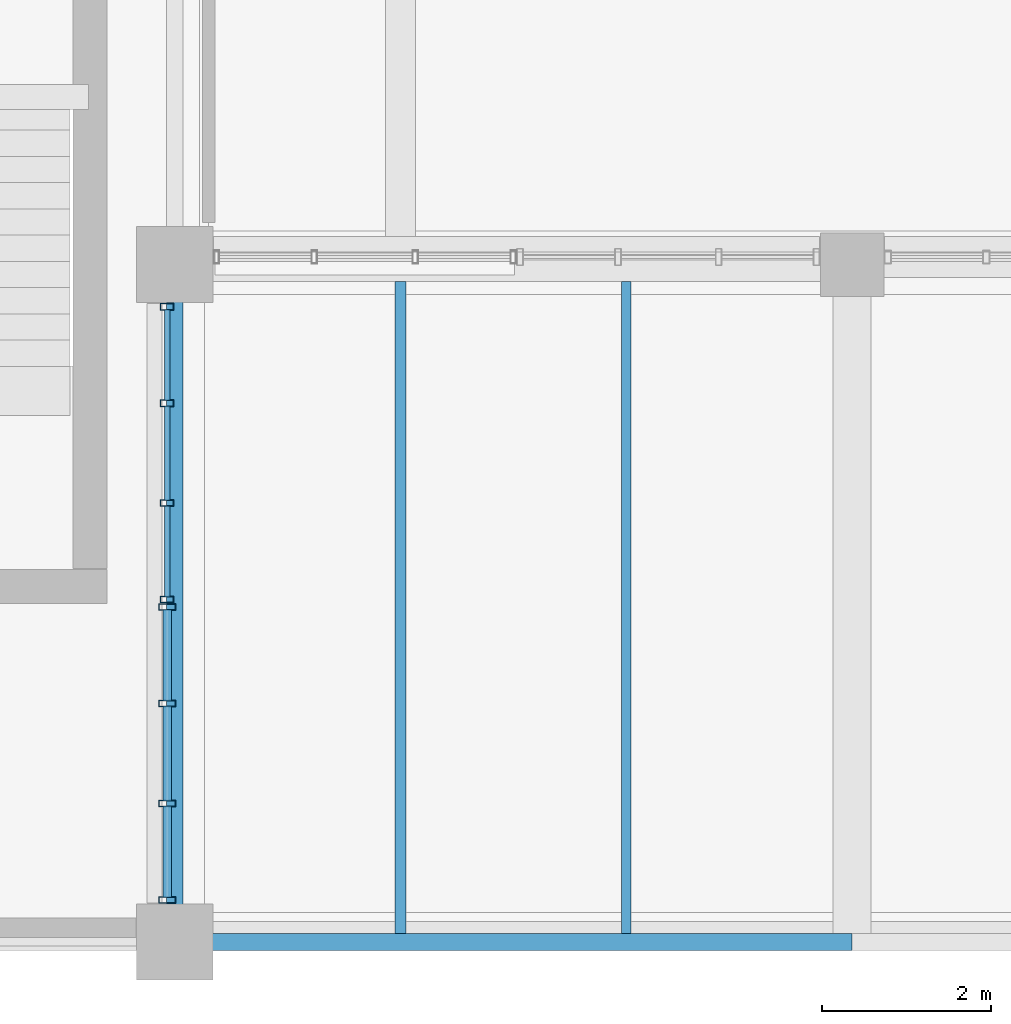
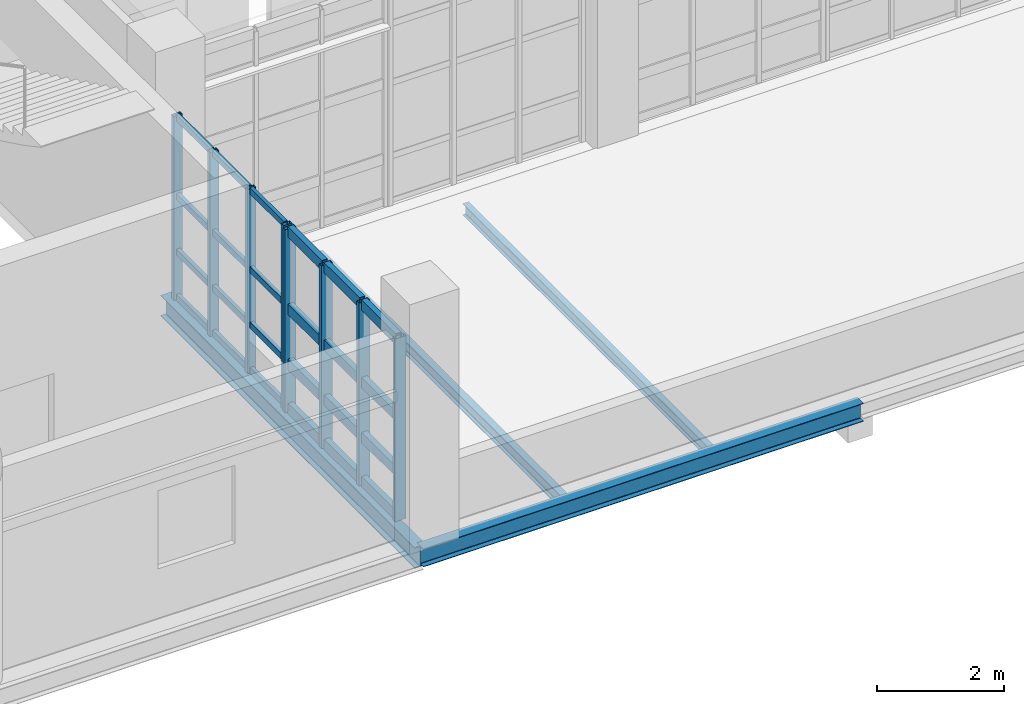
# One storey, part 13 of 102: 32 members, 4 beams, 2 elements without a shape of their own.
"""IFC4 building model written with IfcOpenShell, lengths in metres."""

from ifc_helpers import new_model, si_unit, derived_unit, direction, frame, origin, origin_2d, place, context, subcontext, project, spatial, hollow_rectangle, i_section, extrude, material, layer, layer_set, material_profile, profile_set, type_object, element, aggregate, save


model = new_model("IFC4")

# Units and contexts
model_context = context("Model", 3, precision=1e-05, world=origin(), true_north=direction((0.0, 1.0)))
body_context = subcontext(model_context, "Body", "Model", "MODEL_VIEW")
ifc_project = project(units=[si_unit("LENGTHUNIT", "METRE"), si_unit("AREAUNIT", "SQUARE_METRE"), si_unit("VOLUMEUNIT", "CUBIC_METRE"), si_unit("PLANEANGLEUNIT", "RADIAN"), si_unit("MASSUNIT", "GRAM", prefix="KILO"), derived_unit("THERMALTRANSMITTANCEUNIT", [(si_unit("POWERUNIT", "WATT"), 1), (si_unit("LENGTHUNIT", "METRE"), -2), (si_unit("THERMODYNAMICTEMPERATUREUNIT", "KELVIN"), -1)])], contexts=[model_context])

# Site, building, storey
site_placement = place(None, origin())
site = spatial("IfcSite", under=ifc_project, at=site_placement, CompositionType="ELEMENT")
building_placement = place(site_placement, origin())
building = spatial("IfcBuilding", under=site, at=building_placement, Name="Nallur Shell Playhouse", CompositionType="ELEMENT")
storey_placement = place(building_placement, frame((0.0, 0.0, 15.0)))
storey = spatial("IfcBuildingStorey", under=building, at=storey_placement, Name="L04", CompositionType="ELEMENT", Elevation=15.0)

# Beams
ifc_material_1 = material(Name="Steel E250", Category="steel")
ifc_material_profile_1 = material_profile(ifc_material_1, i_section(OverallWidth=0.110107421875, OverallDepth=0.22509765625, WebThickness=0.006591796875, FlangeThickness=0.01171875, FilletRadius=0.011962890625, at=origin_2d()), Name="ISMB 225")
ifc_profile_set_1 = profile_set([ifc_material_profile_1], Name="Steel E250")
beam_type_1 = type_object("IfcBeamType", Name="BM-JST-ISMB225", PredefinedType="JOIST", material=ifc_profile_set_1)
beam_1_placement = place(storey_placement, frame((45.333251953125, 8.097900390625, -0.37255859375), z_axis=(0.0, 1.0, 0.0), x_axis=(-1.0, 0.0, 0.0)))
element("IfcBeam", 1, at=beam_1_placement, inside=storey, type_object=beam_type_1, Name="L04 secondary joist 5-A-899", PredefinedType="JOIST", context=body_context, shape_type="SweptSolid", body=[
    extrude(i_section(OverallWidth=0.110107421875, OverallDepth=0.22509765625, WebThickness=0.006591796875, FlangeThickness=0.01171875, FilletRadius=0.011962890625, at=origin_2d()), origin(), (0.0, 0.0, 1.0), 7.7041015625),
])
ifc_material_profile_2 = material_profile(ifc_material_1, i_section(OverallWidth=0.125, OverallDepth=0.25, WebThickness=0.0068359375, FlangeThickness=0.012451171875, FilletRadius=0.012939453125, at=origin_2d()), Name="ISMB 250")
ifc_profile_set_2 = profile_set([ifc_material_profile_2], Name="Steel E250")
beam_type_2 = type_object("IfcBeamType", Name="BM-JST-ISMB250", PredefinedType="JOIST", material=ifc_profile_set_2)
beam_2_placement = place(storey_placement, frame((42.666748046875, 8.097900390625, -0.385009765625), z_axis=(0.0, 1.0, 0.0), x_axis=(-1.0, 0.0, 0.0)))
element("IfcBeam", 2, at=beam_2_placement, inside=storey, type_object=beam_type_2, Name="L04 secondary joist 5-A-898", PredefinedType="JOIST", context=body_context, shape_type="SweptSolid", body=[
    extrude(i_section(OverallWidth=0.125, OverallDepth=0.25, WebThickness=0.0068359375, FlangeThickness=0.012451171875, FilletRadius=0.012939453125, at=origin_2d()), origin(), (0.0, 0.0, 1.0), 7.7041015625),
])
ifc_material_2 = material(Name="Steel E350", Category="steel")
ifc_material_profile_3 = material_profile(ifc_material_2, i_section(OverallWidth=0.199951171875, OverallDepth=0.35009765625, WebThickness=0.008056640625, FlangeThickness=0.011474609375, FilletRadius=0.011962890625, at=origin_2d()), Name="ISWB 350")
ifc_profile_set_3 = profile_set([ifc_material_profile_3], Name="Steel E350")
beam_type_3 = type_object("IfcBeamType", Name="BM-ST-ISWB350", PredefinedType="BEAM", material=ifc_profile_set_3)
beam_3_placement = place(storey_placement, frame((40.0, 8.0, -0.43505859375), z_axis=(1.0, 0.0, 0.0), x_axis=(0.0, 1.0, 0.0)))
element("IfcBeam", 3, at=beam_3_placement, inside=storey, type_object=beam_type_3, Name="L04 girder X-A-742", PredefinedType="BEAM", context=body_context, shape_type="SweptSolid", body=[
    extrude(i_section(OverallWidth=0.199951171875, OverallDepth=0.35009765625, WebThickness=0.008056640625, FlangeThickness=0.011474609375, FilletRadius=0.011962890625, at=origin_2d()), origin(), (0.0, 0.0, 1.0), 8.0),
])
ifc_material_profile_4 = material_profile(ifc_material_2, i_section(OverallWidth=0.199951171875, OverallDepth=0.39990234375, WebThickness=0.008544921875, FlangeThickness=0.012939453125, FilletRadius=0.012939453125, at=origin_2d()), Name="ISWB 400")
ifc_profile_set_4 = profile_set([ifc_material_profile_4], Name="Steel E350")
beam_type_4 = type_object("IfcBeamType", Name="BM-ST-ISWB400", PredefinedType="BEAM", material=ifc_profile_set_4)
beam_4_placement = place(storey_placement, frame((40.0, 8.0, -0.4599609375), z_axis=(0.0, 1.0, 0.0), x_axis=(-1.0, 0.0, 0.0)))
element("IfcBeam", 4, at=beam_4_placement, inside=storey, type_object=beam_type_4, Name="L04 girder Y-5-821", PredefinedType="BEAM", context=body_context, shape_type="SweptSolid", body=[
    extrude(i_section(OverallWidth=0.199951171875, OverallDepth=0.39990234375, WebThickness=0.008544921875, FlangeThickness=0.012939453125, FilletRadius=0.012939453125, at=origin_2d()), origin(), (0.0, 0.0, 1.0), 8.0),
])

# Curtain wall, members
ifc_material_3 = material(Name="Anodised Aluminium Double-Glazed Facade System", Category="aluminium")
ifc_layer_1 = layer(ifc_material_3, 0.172119140625)
ifc_layer_set_1 = layer_set([ifc_layer_1], Name="Anodised Aluminium Double-Glazed Facade System")
curtain_wall_type_1 = type_object("IfcCurtainWallType", Name="CW-UNIT-09", PredefinedType="NOTDEFINED", material=ifc_layer_set_1)
curtain_wall_1_placement = place(storey_placement, origin())
curtain_wall_1 = element("IfcCurtainWall", 5, at=curtain_wall_1_placement, inside=storey, type_object=curtain_wall_type_1, Name="Unitised curtain wall CW-137 (L04)", PredefinedType="NOTDEFINED")
ifc_material_4 = material(Name="Aluminium Alloy 6063-T6 Mullion", Category="aluminium")
ifc_material_profile_5 = material_profile(ifc_material_4, hollow_rectangle(XDim=0.080078125, YDim=0.159912109375, WallThickness=0.006103515625, at=origin_2d()), Name="RHS 160x80x6")
ifc_profile_set_5 = profile_set([ifc_material_profile_5], Name="Aluminium Alloy 6063-T6 Mullion")
member_type_1 = type_object("IfcMemberType", Name="MB-CW-MUL150", PredefinedType="MULLION", material=ifc_profile_set_5)
member_1_placement = place(storey_placement, frame((39.909912109375, 15.501953125, -0.014892578125), z_axis=(0.0, 0.0, 1.0), x_axis=(0.0, -1.0, 0.0)))
member_1 = element("IfcMember", 6, at=member_1_placement, type_object=member_type_1, Name="CW-09 mullion 1", PredefinedType="MULLION", context=body_context, shape_type="SweptSolid", body=[
    extrude(hollow_rectangle(XDim=0.080078125, YDim=0.159912109375, WallThickness=0.006103515625, at=origin_2d()), origin(), (0.0, 0.0, 1.0), 3.533935546875),
])
member_2_placement = place(storey_placement, frame((39.909912109375, 14.363037109375, -0.014892578125), z_axis=(0.0, 0.0, 1.0), x_axis=(0.0, -1.0, 0.0)))
member_2 = element("IfcMember", 7, at=member_2_placement, type_object=member_type_1, Name="CW-09 mullion 2", PredefinedType="MULLION", context=body_context, shape_type="SweptSolid", body=[
    extrude(hollow_rectangle(XDim=0.080078125, YDim=0.159912109375, WallThickness=0.006103515625, at=origin_2d()), origin(), (0.0, 0.0, 1.0), 3.533935546875),
])
member_3_placement = place(storey_placement, frame((39.909912109375, 13.18408203125, -0.014892578125), z_axis=(0.0, 0.0, 1.0), x_axis=(0.0, -1.0, 0.0)))
member_3 = element("IfcMember", 8, at=member_3_placement, type_object=member_type_1, Name="CW-09 mullion 3", PredefinedType="MULLION", context=body_context, shape_type="SweptSolid", body=[
    extrude(hollow_rectangle(XDim=0.080078125, YDim=0.159912109375, WallThickness=0.006103515625, at=origin_2d()), origin(), (0.0, 0.0, 1.0), 3.533935546875),
])
member_4_placement = place(storey_placement, frame((39.909912109375, 12.044921875, -0.014892578125), z_axis=(0.0, 0.0, 1.0), x_axis=(0.0, -1.0, 0.0)))
member_4 = element("IfcMember", 9, at=member_4_placement, type_object=member_type_1, Name="CW-09 mullion 4", PredefinedType="MULLION", context=body_context, shape_type="SweptSolid", body=[
    extrude(hollow_rectangle(XDim=0.080078125, YDim=0.159912109375, WallThickness=0.006103515625, at=origin_2d()), origin(), (0.0, 0.0, 1.0), 3.533935546875),
])

ifc_layer_2 = layer(ifc_material_3, 0.176025390625)
ifc_layer_set_2 = layer_set([ifc_layer_2], Name="Anodised Aluminium Double-Glazed Facade System")
curtain_wall_type_2 = type_object("IfcCurtainWallType", Name="CW-UNIT-10", PredefinedType="NOTDEFINED", material=ifc_layer_set_2)
curtain_wall_2_placement = place(storey_placement, origin())
curtain_wall_2 = element("IfcCurtainWall", 10, at=curtain_wall_2_placement, inside=storey, type_object=curtain_wall_type_2, Name="Unitised curtain wall CW-138 (L04)", PredefinedType="NOTDEFINED")
ifc_material_profile_6 = material_profile(ifc_material_4, hollow_rectangle(XDim=0.074951171875, YDim=0.199951171875, WallThickness=0.0048828125, at=origin_2d()), Name="ALU 75x200x5")
ifc_profile_set_6 = profile_set([ifc_material_profile_6], Name="Aluminium Alloy 6063-T6 Mullion")
member_type_2 = type_object("IfcMemberType", Name="MB-CW-MUL180", PredefinedType="MULLION", material=ifc_profile_set_6)
member_5_placement = place(storey_placement, frame((39.909912109375, 11.95751953125, -0.014892578125), z_axis=(0.0, 0.0, 1.0), x_axis=(0.0, -1.0, 0.0)))
member_5 = element("IfcMember", 11, at=member_5_placement, type_object=member_type_2, Name="CW-10 mullion 1", PredefinedType="MULLION", context=body_context, shape_type="SweptSolid", body=[
    extrude(hollow_rectangle(XDim=0.074951171875, YDim=0.199951171875, WallThickness=0.0048828125, at=origin_2d()), origin(), (0.0, 0.0, 1.0), 3.513916015625),
])
member_6_placement = place(storey_placement, frame((39.909912109375, 10.81591796875, -0.014892578125), z_axis=(0.0, 0.0, 1.0), x_axis=(0.0, -1.0, 0.0)))
member_6 = element("IfcMember", 12, at=member_6_placement, type_object=member_type_2, Name="CW-10 mullion 2", PredefinedType="MULLION", context=body_context, shape_type="SweptSolid", body=[
    extrude(hollow_rectangle(XDim=0.074951171875, YDim=0.199951171875, WallThickness=0.0048828125, at=origin_2d()), origin(), (0.0, 0.0, 1.0), 3.513916015625),
])
member_7_placement = place(storey_placement, frame((39.909912109375, 9.636962890625, -0.014892578125), z_axis=(0.0, 0.0, 1.0), x_axis=(0.0, -1.0, 0.0)))
member_7 = element("IfcMember", 13, at=member_7_placement, type_object=member_type_2, Name="CW-10 mullion 3", PredefinedType="MULLION", context=body_context, shape_type="SweptSolid", body=[
    extrude(hollow_rectangle(XDim=0.074951171875, YDim=0.199951171875, WallThickness=0.0048828125, at=origin_2d()), origin(), (0.0, 0.0, 1.0), 3.513916015625),
])
member_8_placement = place(storey_placement, frame((39.909912109375, 8.49560546875, -0.014892578125), z_axis=(0.0, 0.0, 1.0), x_axis=(0.0, -1.0, 0.0)))
member_8 = element("IfcMember", 14, at=member_8_placement, type_object=member_type_2, Name="CW-10 mullion 4", PredefinedType="MULLION", context=body_context, shape_type="SweptSolid", body=[
    extrude(hollow_rectangle(XDim=0.074951171875, YDim=0.199951171875, WallThickness=0.0048828125, at=origin_2d()), origin(), (0.0, 0.0, 1.0), 3.513916015625),
])

# Member
ifc_material_5 = material(Name="Aluminium Alloy 6063-T6 Transom", Category="aluminium")
ifc_material_profile_7 = material_profile(ifc_material_5, hollow_rectangle(XDim=0.06494140625, YDim=0.1201171875, WallThickness=0.00390625, at=origin_2d()), Name="ALU 65x120x4")
ifc_profile_set_7 = profile_set([ifc_material_profile_7], Name="Aluminium Alloy 6063-T6 Transom")
member_type_3 = type_object("IfcMemberType", Name="MB-CW-TRN120", PredefinedType="USERDEFINED", material=ifc_profile_set_7)
member_9_placement = place(storey_placement, frame((39.909912109375, 15.469970703125, 0.032470703125), z_axis=(0.0, -1.0, 0.0), x_axis=(1.0, 0.0, 0.0)))
member_9 = element("IfcMember", 15, at=member_9_placement, type_object=member_type_3, Name="CW-09 transom 1.1", ObjectType="TRANSOM", PredefinedType="USERDEFINED", context=body_context, shape_type="SweptSolid", body=[
    extrude(hollow_rectangle(XDim=0.06494140625, YDim=0.1201171875, WallThickness=0.00390625, at=origin_2d()), origin(), (0.0, 0.0, 1.0), 1.074951171875),
])

member_10_placement = place(storey_placement, frame((39.909912109375, 15.469970703125, 0.89990234375), z_axis=(0.0, -1.0, 0.0), x_axis=(1.0, 0.0, 0.0)))
member_10 = element("IfcMember", 16, at=member_10_placement, type_object=member_type_3, Name="CW-09 transom 1.2", ObjectType="TRANSOM", PredefinedType="USERDEFINED", context=body_context, shape_type="SweptSolid", body=[
    extrude(hollow_rectangle(XDim=0.06494140625, YDim=0.1201171875, WallThickness=0.00390625, at=origin_2d()), origin(), (0.0, 0.0, 1.0), 1.074951171875),
])

member_11_placement = place(storey_placement, frame((39.909912109375, 15.469970703125, 1.968017578125), z_axis=(0.0, -1.0, 0.0), x_axis=(1.0, 0.0, 0.0)))
member_11 = element("IfcMember", 17, at=member_11_placement, type_object=member_type_3, Name="CW-09 transom 1.3", ObjectType="TRANSOM", PredefinedType="USERDEFINED", context=body_context, shape_type="SweptSolid", body=[
    extrude(hollow_rectangle(XDim=0.06494140625, YDim=0.1201171875, WallThickness=0.00390625, at=origin_2d()), origin(), (0.0, 0.0, 1.0), 1.074951171875),
])

member_12_placement = place(storey_placement, frame((39.909912109375, 15.469970703125, 3.482421875), z_axis=(0.0, -1.0, 0.0), x_axis=(1.0, 0.0, 0.0)))
member_12 = element("IfcMember", 18, at=member_12_placement, type_object=member_type_3, Name="CW-09 transom 1.4", ObjectType="TRANSOM", PredefinedType="USERDEFINED", context=body_context, shape_type="SweptSolid", body=[
    extrude(hollow_rectangle(XDim=0.06494140625, YDim=0.1201171875, WallThickness=0.00390625, at=origin_2d()), origin(), (0.0, 0.0, 1.0), 1.074951171875),
])

member_13_placement = place(storey_placement, frame((39.909912109375, 14.3310546875, 0.032470703125), z_axis=(0.0, -1.0, 0.0), x_axis=(1.0, 0.0, 0.0)))
member_13 = element("IfcMember", 19, at=member_13_placement, type_object=member_type_3, Name="CW-09 transom 2.1", ObjectType="TRANSOM", PredefinedType="USERDEFINED", context=body_context, shape_type="SweptSolid", body=[
    extrude(hollow_rectangle(XDim=0.06494140625, YDim=0.1201171875, WallThickness=0.00390625, at=origin_2d()), origin(), (0.0, 0.0, 1.0), 1.114990234375),
])

member_14_placement = place(storey_placement, frame((39.909912109375, 14.3310546875, 0.89990234375), z_axis=(0.0, -1.0, 0.0), x_axis=(1.0, 0.0, 0.0)))
member_14 = element("IfcMember", 20, at=member_14_placement, type_object=member_type_3, Name="CW-09 transom 2.2", ObjectType="TRANSOM", PredefinedType="USERDEFINED", context=body_context, shape_type="SweptSolid", body=[
    extrude(hollow_rectangle(XDim=0.06494140625, YDim=0.1201171875, WallThickness=0.00390625, at=origin_2d()), origin(), (0.0, 0.0, 1.0), 1.114990234375),
])

member_15_placement = place(storey_placement, frame((39.909912109375, 14.3310546875, 1.968017578125), z_axis=(0.0, -1.0, 0.0), x_axis=(1.0, 0.0, 0.0)))
member_15 = element("IfcMember", 21, at=member_15_placement, type_object=member_type_3, Name="CW-09 transom 2.3", ObjectType="TRANSOM", PredefinedType="USERDEFINED", context=body_context, shape_type="SweptSolid", body=[
    extrude(hollow_rectangle(XDim=0.06494140625, YDim=0.1201171875, WallThickness=0.00390625, at=origin_2d()), origin(), (0.0, 0.0, 1.0), 1.114990234375),
])

member_16_placement = place(storey_placement, frame((39.909912109375, 14.3310546875, 3.482421875), z_axis=(0.0, -1.0, 0.0), x_axis=(1.0, 0.0, 0.0)))
member_16 = element("IfcMember", 22, at=member_16_placement, type_object=member_type_3, Name="CW-09 transom 2.4", ObjectType="TRANSOM", PredefinedType="USERDEFINED", context=body_context, shape_type="SweptSolid", body=[
    extrude(hollow_rectangle(XDim=0.06494140625, YDim=0.1201171875, WallThickness=0.00390625, at=origin_2d()), origin(), (0.0, 0.0, 1.0), 1.114990234375),
])

member_17_placement = place(storey_placement, frame((39.909912109375, 13.152099609375, 0.032470703125), z_axis=(0.0, -1.0, 0.0), x_axis=(1.0, 0.0, 0.0)))
member_17 = element("IfcMember", 23, at=member_17_placement, type_object=member_type_3, Name="CW-09 transom 3.1", ObjectType="TRANSOM", PredefinedType="USERDEFINED", context=body_context, shape_type="SweptSolid", body=[
    extrude(hollow_rectangle(XDim=0.06494140625, YDim=0.1201171875, WallThickness=0.00390625, at=origin_2d()), origin(), (0.0, 0.0, 1.0), 1.0751953125),
])

member_18_placement = place(storey_placement, frame((39.909912109375, 13.152099609375, 0.89990234375), z_axis=(0.0, -1.0, 0.0), x_axis=(1.0, 0.0, 0.0)))
member_18 = element("IfcMember", 24, at=member_18_placement, type_object=member_type_3, Name="CW-09 transom 3.2", ObjectType="TRANSOM", PredefinedType="USERDEFINED", context=body_context, shape_type="SweptSolid", body=[
    extrude(hollow_rectangle(XDim=0.06494140625, YDim=0.1201171875, WallThickness=0.00390625, at=origin_2d()), origin(), (0.0, 0.0, 1.0), 1.0751953125),
])

member_19_placement = place(storey_placement, frame((39.909912109375, 13.152099609375, 1.968017578125), z_axis=(0.0, -1.0, 0.0), x_axis=(1.0, 0.0, 0.0)))
member_19 = element("IfcMember", 25, at=member_19_placement, type_object=member_type_3, Name="CW-09 transom 3.3", ObjectType="TRANSOM", PredefinedType="USERDEFINED", context=body_context, shape_type="SweptSolid", body=[
    extrude(hollow_rectangle(XDim=0.06494140625, YDim=0.1201171875, WallThickness=0.00390625, at=origin_2d()), origin(), (0.0, 0.0, 1.0), 1.0751953125),
])

member_20_placement = place(storey_placement, frame((39.909912109375, 13.152099609375, 3.482421875), z_axis=(0.0, -1.0, 0.0), x_axis=(1.0, 0.0, 0.0)))
member_20 = element("IfcMember", 26, at=member_20_placement, type_object=member_type_3, Name="CW-09 transom 3.4", ObjectType="TRANSOM", PredefinedType="USERDEFINED", context=body_context, shape_type="SweptSolid", body=[
    extrude(hollow_rectangle(XDim=0.06494140625, YDim=0.1201171875, WallThickness=0.00390625, at=origin_2d()), origin(), (0.0, 0.0, 1.0), 1.0751953125),
])

aggregate(curtain_wall_1, [member_1, member_2, member_3, member_4, member_9, member_10, member_11, member_12, member_13, member_14, member_15, member_16, member_17, member_18, member_19, member_20])

ifc_material_profile_8 = material_profile(ifc_material_5, hollow_rectangle(XDim=0.10009765625, YDim=0.199951171875, WallThickness=0.008056640625, at=origin_2d()), Name="RHS 200x100x8")
ifc_profile_set_8 = profile_set([ifc_material_profile_8], Name="Aluminium Alloy 6063-T6 Transom")
member_type_4 = type_object("IfcMemberType", Name="MB-CW-TRN140", PredefinedType="USERDEFINED", material=ifc_profile_set_8)
member_21_placement = place(storey_placement, frame((39.909912109375, 11.927978515625, 0.050048828125), z_axis=(0.0, -1.0, 0.0), x_axis=(1.0, 0.0, 0.0)))
member_21 = element("IfcMember", 27, at=member_21_placement, type_object=member_type_4, Name="CW-10 transom 1.1", ObjectType="TRANSOM", PredefinedType="USERDEFINED", context=body_context, shape_type="SweptSolid", body=[
    extrude(hollow_rectangle(XDim=0.10009765625, YDim=0.199951171875, WallThickness=0.008056640625, at=origin_2d()), origin(), (0.0, 0.0, 1.0), 1.08251953125),
])

member_22_placement = place(storey_placement, frame((39.909912109375, 11.927978515625, 0.89990234375), z_axis=(0.0, -1.0, 0.0), x_axis=(1.0, 0.0, 0.0)))
member_22 = element("IfcMember", 28, at=member_22_placement, type_object=member_type_4, Name="CW-10 transom 1.2", ObjectType="TRANSOM", PredefinedType="USERDEFINED", context=body_context, shape_type="SweptSolid", body=[
    extrude(hollow_rectangle(XDim=0.10009765625, YDim=0.199951171875, WallThickness=0.008056640625, at=origin_2d()), origin(), (0.0, 0.0, 1.0), 1.08251953125),
])

member_23_placement = place(storey_placement, frame((39.909912109375, 11.927978515625, 1.95703125), z_axis=(0.0, -1.0, 0.0), x_axis=(1.0, 0.0, 0.0)))
member_23 = element("IfcMember", 29, at=member_23_placement, type_object=member_type_4, Name="CW-10 transom 1.3", ObjectType="TRANSOM", PredefinedType="USERDEFINED", context=body_context, shape_type="SweptSolid", body=[
    extrude(hollow_rectangle(XDim=0.10009765625, YDim=0.199951171875, WallThickness=0.008056640625, at=origin_2d()), origin(), (0.0, 0.0, 1.0), 1.08251953125),
])

member_24_placement = place(storey_placement, frame((39.909912109375, 11.927978515625, 3.445068359375), z_axis=(0.0, -1.0, 0.0), x_axis=(1.0, 0.0, 0.0)))
member_24 = element("IfcMember", 30, at=member_24_placement, type_object=member_type_4, Name="CW-10 transom 1.4", ObjectType="TRANSOM", PredefinedType="USERDEFINED", context=body_context, shape_type="SweptSolid", body=[
    extrude(hollow_rectangle(XDim=0.10009765625, YDim=0.199951171875, WallThickness=0.008056640625, at=origin_2d()), origin(), (0.0, 0.0, 1.0), 1.08251953125),
])

member_25_placement = place(storey_placement, frame((39.909912109375, 10.78662109375, 0.050048828125), z_axis=(0.0, -1.0, 0.0), x_axis=(1.0, 0.0, 0.0)))
member_25 = element("IfcMember", 31, at=member_25_placement, type_object=member_type_4, Name="CW-10 transom 2.1", ObjectType="TRANSOM", PredefinedType="USERDEFINED", context=body_context, shape_type="SweptSolid", body=[
    extrude(hollow_rectangle(XDim=0.10009765625, YDim=0.199951171875, WallThickness=0.008056640625, at=origin_2d()), origin(), (0.0, 0.0, 1.0), 1.1201171875),
])

member_26_placement = place(storey_placement, frame((39.909912109375, 10.78662109375, 0.89990234375), z_axis=(0.0, -1.0, 0.0), x_axis=(1.0, 0.0, 0.0)))
member_26 = element("IfcMember", 32, at=member_26_placement, type_object=member_type_4, Name="CW-10 transom 2.2", ObjectType="TRANSOM", PredefinedType="USERDEFINED", context=body_context, shape_type="SweptSolid", body=[
    extrude(hollow_rectangle(XDim=0.10009765625, YDim=0.199951171875, WallThickness=0.008056640625, at=origin_2d()), origin(), (0.0, 0.0, 1.0), 1.1201171875),
])

member_27_placement = place(storey_placement, frame((39.909912109375, 10.78662109375, 1.95703125), z_axis=(0.0, -1.0, 0.0), x_axis=(1.0, 0.0, 0.0)))
member_27 = element("IfcMember", 33, at=member_27_placement, type_object=member_type_4, Name="CW-10 transom 2.3", ObjectType="TRANSOM", PredefinedType="USERDEFINED", context=body_context, shape_type="SweptSolid", body=[
    extrude(hollow_rectangle(XDim=0.10009765625, YDim=0.199951171875, WallThickness=0.008056640625, at=origin_2d()), origin(), (0.0, 0.0, 1.0), 1.1201171875),
])

member_28_placement = place(storey_placement, frame((39.909912109375, 10.78662109375, 3.445068359375), z_axis=(0.0, -1.0, 0.0), x_axis=(1.0, 0.0, 0.0)))
member_28 = element("IfcMember", 34, at=member_28_placement, type_object=member_type_4, Name="CW-10 transom 2.4", ObjectType="TRANSOM", PredefinedType="USERDEFINED", context=body_context, shape_type="SweptSolid", body=[
    extrude(hollow_rectangle(XDim=0.10009765625, YDim=0.199951171875, WallThickness=0.008056640625, at=origin_2d()), origin(), (0.0, 0.0, 1.0), 1.1201171875),
])

member_29_placement = place(storey_placement, frame((39.909912109375, 9.607421875, 0.050048828125), z_axis=(0.0, -1.0, 0.0), x_axis=(1.0, 0.0, 0.0)))
member_29 = element("IfcMember", 35, at=member_29_placement, type_object=member_type_4, Name="CW-10 transom 3.1", ObjectType="TRANSOM", PredefinedType="USERDEFINED", context=body_context, shape_type="SweptSolid", body=[
    extrude(hollow_rectangle(XDim=0.10009765625, YDim=0.199951171875, WallThickness=0.008056640625, at=origin_2d()), origin(), (0.0, 0.0, 1.0), 1.08251953125),
])

member_30_placement = place(storey_placement, frame((39.909912109375, 9.607421875, 0.89990234375), z_axis=(0.0, -1.0, 0.0), x_axis=(1.0, 0.0, 0.0)))
member_30 = element("IfcMember", 36, at=member_30_placement, type_object=member_type_4, Name="CW-10 transom 3.2", ObjectType="TRANSOM", PredefinedType="USERDEFINED", context=body_context, shape_type="SweptSolid", body=[
    extrude(hollow_rectangle(XDim=0.10009765625, YDim=0.199951171875, WallThickness=0.008056640625, at=origin_2d()), origin(), (0.0, 0.0, 1.0), 1.08251953125),
])

member_31_placement = place(storey_placement, frame((39.909912109375, 9.607421875, 1.95703125), z_axis=(0.0, -1.0, 0.0), x_axis=(1.0, 0.0, 0.0)))
member_31 = element("IfcMember", 37, at=member_31_placement, type_object=member_type_4, Name="CW-10 transom 3.3", ObjectType="TRANSOM", PredefinedType="USERDEFINED", context=body_context, shape_type="SweptSolid", body=[
    extrude(hollow_rectangle(XDim=0.10009765625, YDim=0.199951171875, WallThickness=0.008056640625, at=origin_2d()), origin(), (0.0, 0.0, 1.0), 1.08251953125),
])

member_32_placement = place(storey_placement, frame((39.909912109375, 9.607421875, 3.445068359375), z_axis=(0.0, -1.0, 0.0), x_axis=(1.0, 0.0, 0.0)))
member_32 = element("IfcMember", 38, at=member_32_placement, type_object=member_type_4, Name="CW-10 transom 3.4", ObjectType="TRANSOM", PredefinedType="USERDEFINED", context=body_context, shape_type="SweptSolid", body=[
    extrude(hollow_rectangle(XDim=0.10009765625, YDim=0.199951171875, WallThickness=0.008056640625, at=origin_2d()), origin(), (0.0, 0.0, 1.0), 1.08251953125),
])

aggregate(curtain_wall_2, [member_5, member_6, member_7, member_8, member_21, member_22, member_23, member_24, member_25, member_26, member_27, member_28, member_29, member_30, member_31, member_32])

save(model, "model.ifc")
